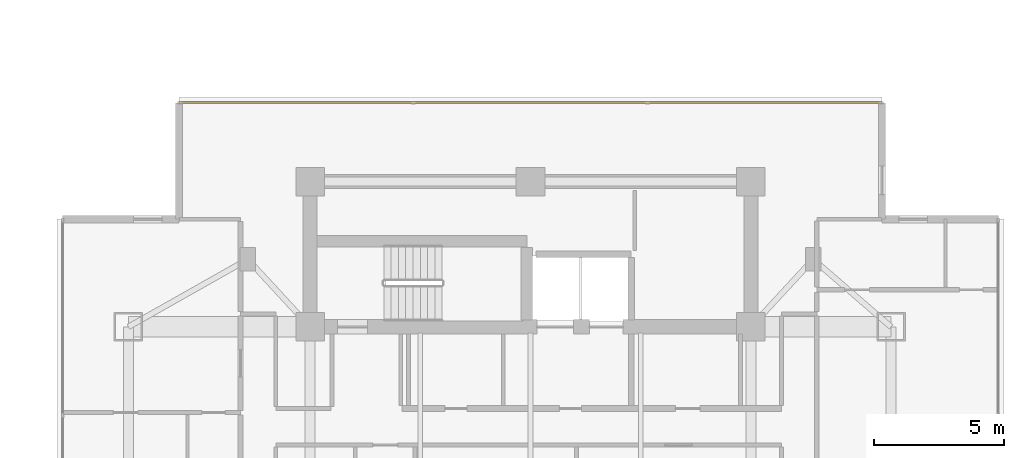
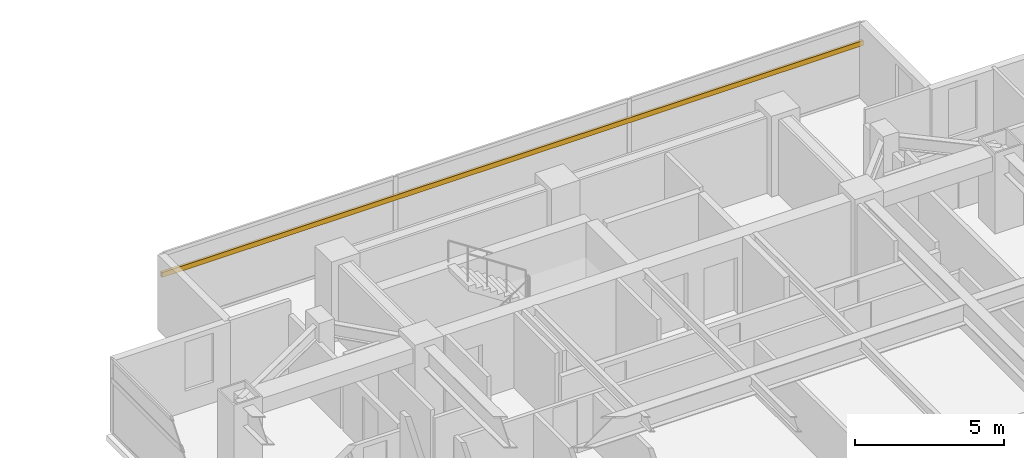
# One storey, part 24 of 24: 1 shading device.
"""IFC4 building model written with IfcOpenShell, lengths in metres."""

from ifc_helpers import new_model, si_unit, direction, frame, origin, origin_2d, place, context, subcontext, project, spatial, rectangle, extrude, material, material_profile, profile_set, type_object, element, save


model = new_model("IFC4")

# Units and contexts
model_context = context("Model", 3, precision=1e-05, world=origin(), true_north=direction((0.0, 1.0)))
body_context = subcontext(model_context, "Body", "Model", "MODEL_VIEW")
ifc_project = project(units=[si_unit("LENGTHUNIT", "METRE"), si_unit("AREAUNIT", "SQUARE_METRE"), si_unit("VOLUMEUNIT", "CUBIC_METRE"), si_unit("PLANEANGLEUNIT", "RADIAN"), si_unit("MASSUNIT", "GRAM", prefix="KILO")], contexts=[model_context])

# Site, building, storey
site_placement = place(None, origin())
site = spatial("IfcSite", under=ifc_project, at=site_placement, CompositionType="ELEMENT")
building_placement = place(site_placement, origin())
building = spatial("IfcBuilding", under=site, at=building_placement, Name="Mirazonda Arch Towers", CompositionType="ELEMENT")
storey_placement = place(building_placement, frame((0.0, 0.0, 134.60009765625)))
storey = spatial("IfcBuildingStorey", under=building, at=storey_placement, Name="L38", CompositionType="ELEMENT", Elevation=134.60009765625)

# Shading device
ifc_material = material(Name="Kiln-Fired Architectural Terracotta", Category="masonry")
ifc_material_profile = material_profile(ifc_material, rectangle(XDim=0.10009765625, YDim=0.199951171875, at=origin_2d()), Name="TERRA-BAG-100x200")
ifc_profile_set = profile_set([ifc_material_profile], Name="Kiln-Fired Architectural Terracotta")
shading_device_type = type_object("IfcShadingDeviceType", Name="BAGUETTE-2", PredefinedType="USERDEFINED", material=ifc_profile_set)
shading_device_placement = place(storey_placement, frame((62.951416015625, 43.83544921875, 2.203125), z_axis=(1.0, 0.0, 0.0), x_axis=(0.0, 1.0, 0.0)))
element("IfcShadingDevice", 1, at=shading_device_placement, inside=storey, type_object=shading_device_type, Name="L38 Glazed Terracotta Sun-Screen Baguette CW-L38-T2-N", ObjectType="BAGUETTE", PredefinedType="USERDEFINED", context=body_context, shape_type="SweptSolid", body=[
    extrude(rectangle(XDim=0.10009765625, YDim=0.199951171875, at=origin_2d()), origin(), (0.0, 0.0, 1.0), 27.09716796875),
])

save(model, "model.ifc")
